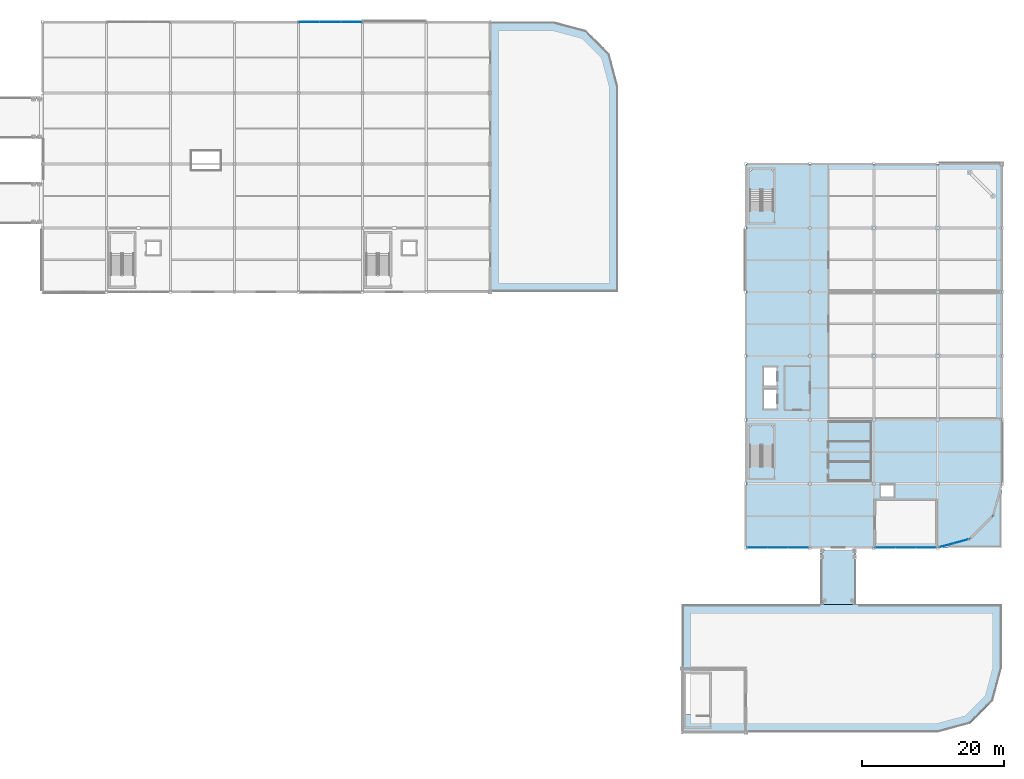
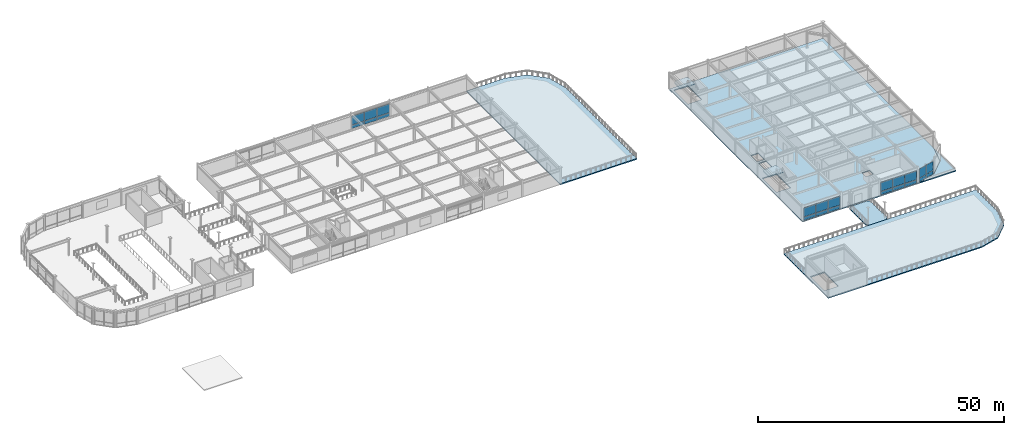
# One storey, part 33 of 53: 22 plates, 7 slabs, 6 elements without a shape of their own.
"""IFC4 building model written with IfcOpenShell, lengths in metres."""

from ifc_helpers import new_model, si_unit, direction, frame, origin, origin_2d, place, context, subcontext, project, spatial, polyline, rectangle, outline, extrude, material, layer, layer_set, type_object, element, aggregate, save


model = new_model("IFC4")

# Units and contexts
model_context = context("Model", 3, precision=1e-05, world=origin(), true_north=direction((0.0, 1.0)))
body_context = subcontext(model_context, "Body", "Model", "MODEL_VIEW")
ifc_project = project(units=[si_unit("LENGTHUNIT", "METRE"), si_unit("AREAUNIT", "SQUARE_METRE"), si_unit("VOLUMEUNIT", "CUBIC_METRE"), si_unit("PLANEANGLEUNIT", "RADIAN"), si_unit("MASSUNIT", "GRAM", prefix="KILO")], contexts=[model_context])

# Site, building, storey
site_placement = place(None, origin())
site = spatial("IfcSite", under=ifc_project, at=site_placement, CompositionType="ELEMENT")
building_placement = place(site_placement, origin())
building = spatial("IfcBuilding", under=site, at=building_placement, Name="Suzunagisa Mobility Hub", CompositionType="ELEMENT")
storey_placement = place(building_placement, frame((0.0, 0.0, 17.699951171875)))
storey = spatial("IfcBuildingStorey", under=building, at=storey_placement, Name="L04", CompositionType="ELEMENT", Elevation=17.699951171875)

# Slabs
ifc_material_1 = material(Name="Concrete C35/45", Category="concrete")
ifc_layer_1 = layer(ifc_material_1, 0.25)
ifc_layer_set_1 = layer_set([ifc_layer_1], Name="Concrete C35/45")
slab_type_1 = type_object("IfcSlabType", Name="Composite Slab SL-13 250mm", PredefinedType="FLOOR", material=ifc_layer_set_1)
slab_1_placement = place(storey_placement, frame((0.0, 0.0, -0.25)))
element("IfcSlab", 1, at=slab_1_placement, inside=storey, type_object=slab_type_1, Name="L04 V6N Floor Slab", PredefinedType="FLOOR", context=body_context, shape_type="SweptSolid", body=[
    extrude(outline(polyline([(144.0, 44.0), (171.0, 44.0), (175.5, 45.205810546875), (178.794189453125, 48.5), (180.0, 53.0), (180.0, 98.0), (144.0, 98.0), (144.0, 44.0)]), holes=[polyline([(163.0, 51.199951171875), (164.800048828125, 51.199951171875), (164.800048828125, 52.800048828125), (163.0, 52.800048828125), (163.0, 51.199951171875)]), polyline([(144.56005859375, 55.47998046875), (147.840087890625, 55.47998046875), (147.840087890625, 61.199951171875), (144.56005859375, 61.199951171875), (144.56005859375, 55.47998046875)]), polyline([(146.52001953125, 63.6201171875), (148.280029296875, 63.6201171875), (148.280029296875, 66.179931640625), (146.52001953125, 66.179931640625), (146.52001953125, 63.6201171875)]), polyline([(146.52001953125, 66.820068359375), (148.280029296875, 66.820068359375), (148.280029296875, 69.3798828125), (146.52001953125, 69.3798828125), (146.52001953125, 66.820068359375)]), polyline([(144.56005859375, 91.47998046875), (147.840087890625, 91.47998046875), (147.840087890625, 97.199951171875), (144.56005859375, 97.199951171875), (144.56005859375, 91.47998046875)])]), origin(), (0.0, 0.0, 1.0), 0.25),
])
ifc_material_2 = material(Name="Concrete C30/37", Category="concrete")
ifc_layer_2 = layer(ifc_material_2, 0.239990234375)
ifc_layer_set_2 = layer_set([ifc_layer_2], Name="Concrete C30/37")
slab_type_2 = type_object("IfcSlabType", Name="Composite Slab SL-14 240mm", PredefinedType="FLOOR", material=ifc_layer_set_2)
slab_2_placement = place(storey_placement, frame((0.0, 0.0, -0.239990234375)))
element("IfcSlab", 2, at=slab_2_placement, inside=storey, type_object=slab_type_2, Name="L04 Bridge Deck SB-06", PredefinedType="FLOOR", context=body_context, shape_type="SweptSolid", body=[
    extrude(outline(polyline([(155.050048828125, 36.0), (158.949951171875, 36.0), (159.5, 36.550048828125), (159.5, 43.10009765625), (158.949951171875, 43.64990234375), (155.050048828125, 43.64990234375), (154.5, 43.10009765625), (154.5, 36.550048828125), (155.050048828125, 36.0)])), origin(), (0.0, 0.0, 1.0), 0.239990234375),
])
ifc_layer_3 = layer(ifc_material_2, 0.260009765625)
ifc_layer_set_3 = layer_set([ifc_layer_3], Name="Concrete C30/37")
slab_type_3 = type_object("IfcSlabType", Name="Composite Slab SL-17 260mm", PredefinedType="ROOF", material=ifc_layer_set_3)
slab_3_placement = place(storey_placement, frame((0.0, 0.0, -0.260009765625)))
element("IfcSlab", 3, at=slab_3_placement, inside=storey, type_object=slab_type_3, Name="L04 V4 Roof Terrace Slab", PredefinedType="ROOF", context=body_context, shape_type="SweptSolid", body=[
    extrude(outline(polyline([(108.0, 80.0), (126.0, 80.0), (126.0, 109.0), (124.794189453125, 113.5), (121.5, 116.794189453125), (117.0, 118.0), (108.0, 118.0), (108.0, 80.0)])), origin(), (0.0, 0.0, 1.0), 0.260009765625),
])
slab_4_placement = place(storey_placement, frame((0.0, 0.0, -0.260009765625)))
element("IfcSlab", 4, at=slab_4_placement, inside=storey, type_object=slab_type_3, Name="L04 V6S Roof Terrace Slab", PredefinedType="ROOF", context=body_context, shape_type="SweptSolid", body=[
    extrude(outline(polyline([(135.0, 18.0), (171.0, 18.0), (175.5, 19.205810546875), (178.794189453125, 22.5), (180.0, 27.0), (180.0, 36.0), (135.0, 36.0), (135.0, 18.0)]), holes=[polyline([(135.56005859375, 20.47998046875), (138.840087890625, 20.47998046875), (138.840087890625, 26.199951171875), (135.56005859375, 26.199951171875), (135.56005859375, 20.47998046875)])]), origin(), (0.0, 0.0, 1.0), 0.260009765625),
])
slab_5_placement = place(storey_placement, frame((0.0, 0.0, -0.260009765625)))
element("IfcSlab", 5, at=slab_5_placement, inside=storey, type_object=slab_type_3, Name="L04 V6N Roof Slab", PredefinedType="ROOF", context=body_context, shape_type="SweptSolid", body=[
    extrude(outline(polyline([(180.0, 52.980712890625), (178.79833984375, 48.497314453125), (175.50341796875, 45.202392578125), (171.019287109375, 44.0), (180.0, 44.0), (180.0, 52.980712890625)])), origin(), (0.0, 0.0, 1.0), 0.260009765625),
])

# Stair, slab
stair_type_1 = type_object("IfcStairType", Name="Dog-Leg Core Escape Stair ST-11 W1560", PredefinedType="HALF_TURN_STAIR", material=ifc_material_1)
stair_1_placement = place(storey_placement, origin())
stair_1 = element("IfcStair", 6, at=stair_1_placement, inside=storey, type_object=stair_type_1, Name="L04 Core C5 Escape Stair ST-11", PredefinedType="HALF_TURN_STAIR")
ifc_layer_4 = layer(ifc_material_1, 0.199951171875)
ifc_layer_set_4 = layer_set([ifc_layer_4], Name="Concrete C35/45")
slab_type_4 = type_object("IfcSlabType", Name="Core Stair Half-Landing Slab SL-SLND", PredefinedType="LANDING", material=ifc_layer_set_4)
slab_6_placement = place(storey_placement, frame((0.0, 0.0, 1.900146484375)))
slab_6 = element("IfcSlab", 7, at=slab_6_placement, type_object=slab_type_4, Name="ST-11 landing 1", PredefinedType="LANDING", context=body_context, shape_type="SweptSolid", body=[
    extrude(outline(polyline([(144.4599609375, 58.360107421875), (147.93994140625, 58.360107421875), (147.93994140625, 60.820068359375), (147.4599609375, 61.300048828125), (144.93994140625, 61.300048828125), (144.4599609375, 60.820068359375), (144.4599609375, 58.360107421875)])), origin(), (0.0, 0.0, 1.0), 0.199951171875),
])
aggregate(stair_1, [slab_6])

stair_type_2 = type_object("IfcStairType", Name="Dog-Leg Core Escape Stair ST-12 W1560", PredefinedType="HALF_TURN_STAIR", material=ifc_material_1)
stair_2_placement = place(storey_placement, origin())
stair_2 = element("IfcStair", 8, at=stair_2_placement, inside=storey, type_object=stair_type_2, Name="L04 Core C5B Escape Stair ST-12", PredefinedType="HALF_TURN_STAIR")
slab_7_placement = place(storey_placement, frame((0.0, 0.0, 1.900146484375)))
slab_7 = element("IfcSlab", 9, at=slab_7_placement, type_object=slab_type_4, Name="ST-12 landing 1", PredefinedType="LANDING", context=body_context, shape_type="SweptSolid", body=[
    extrude(outline(polyline([(144.4599609375, 94.360107421875), (147.93994140625, 94.360107421875), (147.93994140625, 96.820068359375), (147.4599609375, 97.300048828125), (144.93994140625, 97.300048828125), (144.4599609375, 96.820068359375), (144.4599609375, 94.360107421875)])), origin(), (0.0, 0.0, 1.0), 0.199951171875),
])
aggregate(stair_2, [slab_7])

# Curtain wall, plates
ifc_material_3 = material(Name="Thermally Broken Anodized Aluminum and Low-E Glazing", Category="aluminium")
curtain_wall_type_1 = type_object("IfcCurtainWallType", Name="Unitised Curtain Wall CW-33 9000x3200", PredefinedType="USERDEFINED", material=ifc_material_3)
curtain_wall_1_placement = place(storey_placement, origin())
curtain_wall_1 = element("IfcCurtainWall", 10, at=curtain_wall_1_placement, inside=storey, type_object=curtain_wall_type_1, Name="L04 Unitised Curtain Wall CW-133", ObjectType="UNITISED CURTAIN WALL", PredefinedType="USERDEFINED")
ifc_material_4 = material(Name="Low-E Solar-Control Double Glazing", Category="glass")
ifc_layer_5 = layer(ifc_material_4, 0.028076171875)
ifc_layer_set_5 = layer_set([ifc_layer_5], Name="Low-E Solar-Control Double Glazing")
plate_type = type_object("IfcPlateType", Name="Low-E Double Glazed Curtain Panel GP-01 28mm", PredefinedType="CURTAIN_PANEL", material=ifc_layer_set_5)
plate_1_placement = place(storey_placement, frame((88.48193359375, 118.0, 0.063232421875), z_axis=(0.0, 0.0, 1.0), x_axis=(-1.0, 0.0, 0.0)))
plate_1 = element("IfcPlate", 11, at=plate_1_placement, type_object=plate_type, Name="Curtain Wall Glazing Panel 133-P1.1", PredefinedType="CURTAIN_PANEL", context=body_context, shape_type="SweptSolid", body=[
    extrude(rectangle(XDim=2.910888671875, YDim=0.028076171875, at=origin_2d()), origin(), (0.0, 0.0, 1.0), 0.8564453125),
])
plate_2_placement = place(storey_placement, frame((88.48193359375, 118.0, 0.98046875), z_axis=(0.0, 0.0, 1.0), x_axis=(-1.0, 0.0, 0.0)))
plate_2 = element("IfcPlate", 12, at=plate_2_placement, type_object=plate_type, Name="Curtain Wall Glazing Panel 133-P1.2", PredefinedType="CURTAIN_PANEL", context=body_context, shape_type="SweptSolid", body=[
    extrude(rectangle(XDim=2.910888671875, YDim=0.028076171875, at=origin_2d()), origin(), (0.0, 0.0, 1.0), 2.20654296875),
])
plate_3_placement = place(storey_placement, frame((85.5, 118.0, 0.063232421875), z_axis=(0.0, 0.0, 1.0), x_axis=(-1.0, 0.0, 0.0)))
plate_3 = element("IfcPlate", 13, at=plate_3_placement, type_object=plate_type, Name="Curtain Wall Glazing Panel 133-P2.1", PredefinedType="CURTAIN_PANEL", context=body_context, shape_type="SweptSolid", body=[
    extrude(rectangle(XDim=2.94091796875, YDim=0.028076171875, at=origin_2d()), origin(), (0.0, 0.0, 1.0), 0.8564453125),
])
plate_4_placement = place(storey_placement, frame((85.5, 118.0, 0.98046875), z_axis=(0.0, 0.0, 1.0), x_axis=(-1.0, 0.0, 0.0)))
plate_4 = element("IfcPlate", 14, at=plate_4_placement, type_object=plate_type, Name="Curtain Wall Glazing Panel 133-P2.2", PredefinedType="CURTAIN_PANEL", context=body_context, shape_type="SweptSolid", body=[
    extrude(rectangle(XDim=2.94091796875, YDim=0.028076171875, at=origin_2d()), origin(), (0.0, 0.0, 1.0), 2.20654296875),
])
plate_5_placement = place(storey_placement, frame((82.51806640625, 118.0, 0.063232421875), z_axis=(0.0, 0.0, 1.0), x_axis=(-1.0, 0.0, 0.0)))
plate_5 = element("IfcPlate", 15, at=plate_5_placement, type_object=plate_type, Name="Curtain Wall Glazing Panel 133-P3.1", PredefinedType="CURTAIN_PANEL", context=body_context, shape_type="SweptSolid", body=[
    extrude(rectangle(XDim=2.910888671875, YDim=0.028076171875, at=origin_2d()), origin(), (0.0, 0.0, 1.0), 0.8564453125),
])
plate_6_placement = place(storey_placement, frame((82.51806640625, 118.0, 0.98046875), z_axis=(0.0, 0.0, 1.0), x_axis=(-1.0, 0.0, 0.0)))
plate_6 = element("IfcPlate", 16, at=plate_6_placement, type_object=plate_type, Name="Curtain Wall Glazing Panel 133-P3.2", PredefinedType="CURTAIN_PANEL", context=body_context, shape_type="SweptSolid", body=[
    extrude(rectangle(XDim=2.910888671875, YDim=0.028076171875, at=origin_2d()), origin(), (0.0, 0.0, 1.0), 2.20654296875),
])
aggregate(curtain_wall_1, [plate_1, plate_2, plate_3, plate_4, plate_5, plate_6])

curtain_wall_type_2 = type_object("IfcCurtainWallType", Name="Unitised Curtain Wall CW-18 8500x3200", PredefinedType="USERDEFINED", material=ifc_material_3)
curtain_wall_2_placement = place(storey_placement, origin())
curtain_wall_2 = element("IfcCurtainWall", 17, at=curtain_wall_2_placement, inside=storey, type_object=curtain_wall_type_2, Name="L04 Unitised Curtain Wall CW-214", ObjectType="UNITISED CURTAIN WALL", PredefinedType="USERDEFINED")
plate_7_placement = place(storey_placement, frame((145.648193359375, 44.0, 0.063232421875), z_axis=(0.0, 0.0, 1.0), x_axis=(1.0, 0.0, 0.0)))
plate_7 = element("IfcPlate", 18, at=plate_7_placement, type_object=plate_type, Name="Curtain Wall Glazing Panel 214-P1.1", PredefinedType="CURTAIN_PANEL", context=body_context, shape_type="SweptSolid", body=[
    extrude(rectangle(XDim=2.78076171875, YDim=0.028076171875, at=origin_2d()), origin(), (0.0, 0.0, 1.0), 0.8564453125),
])
plate_8_placement = place(storey_placement, frame((145.648193359375, 44.0, 0.98046875), z_axis=(0.0, 0.0, 1.0), x_axis=(1.0, 0.0, 0.0)))
plate_8 = element("IfcPlate", 19, at=plate_8_placement, type_object=plate_type, Name="Curtain Wall Glazing Panel 214-P1.2", PredefinedType="CURTAIN_PANEL", context=body_context, shape_type="SweptSolid", body=[
    extrude(rectangle(XDim=2.78076171875, YDim=0.028076171875, at=origin_2d()), origin(), (0.0, 0.0, 1.0), 2.196533203125),
])
plate_9_placement = place(storey_placement, frame((148.5, 44.0, 0.063232421875), z_axis=(0.0, 0.0, 1.0), x_axis=(1.0, 0.0, 0.0)))
plate_9 = element("IfcPlate", 20, at=plate_9_placement, type_object=plate_type, Name="Curtain Wall Glazing Panel 214-P2.1", PredefinedType="CURTAIN_PANEL", context=body_context, shape_type="SweptSolid", body=[
    extrude(rectangle(XDim=2.810546875, YDim=0.028076171875, at=origin_2d()), origin(), (0.0, 0.0, 1.0), 0.8564453125),
])
plate_10_placement = place(storey_placement, frame((148.5, 44.0, 0.98046875), z_axis=(0.0, 0.0, 1.0), x_axis=(1.0, 0.0, 0.0)))
plate_10 = element("IfcPlate", 21, at=plate_10_placement, type_object=plate_type, Name="Curtain Wall Glazing Panel 214-P2.2", PredefinedType="CURTAIN_PANEL", context=body_context, shape_type="SweptSolid", body=[
    extrude(rectangle(XDim=2.810546875, YDim=0.028076171875, at=origin_2d()), origin(), (0.0, 0.0, 1.0), 2.196533203125),
])
plate_11_placement = place(storey_placement, frame((151.3515625, 44.0, 0.063232421875), z_axis=(0.0, 0.0, 1.0), x_axis=(1.0, 0.0, 0.0)))
plate_11 = element("IfcPlate", 22, at=plate_11_placement, type_object=plate_type, Name="Curtain Wall Glazing Panel 214-P3.1", PredefinedType="CURTAIN_PANEL", context=body_context, shape_type="SweptSolid", body=[
    extrude(rectangle(XDim=2.78076171875, YDim=0.028076171875, at=origin_2d()), origin(), (0.0, 0.0, 1.0), 0.8564453125),
])
plate_12_placement = place(storey_placement, frame((151.3515625, 44.0, 0.98046875), z_axis=(0.0, 0.0, 1.0), x_axis=(1.0, 0.0, 0.0)))
plate_12 = element("IfcPlate", 23, at=plate_12_placement, type_object=plate_type, Name="Curtain Wall Glazing Panel 214-P3.2", PredefinedType="CURTAIN_PANEL", context=body_context, shape_type="SweptSolid", body=[
    extrude(rectangle(XDim=2.78076171875, YDim=0.028076171875, at=origin_2d()), origin(), (0.0, 0.0, 1.0), 2.196533203125),
])
aggregate(curtain_wall_2, [plate_7, plate_8, plate_9, plate_10, plate_11, plate_12])

curtain_wall_3_placement = place(storey_placement, origin())
curtain_wall_3 = element("IfcCurtainWall", 24, at=curtain_wall_3_placement, inside=storey, type_object=curtain_wall_type_2, Name="L04 Unitised Curtain Wall CW-215", ObjectType="UNITISED CURTAIN WALL", PredefinedType="USERDEFINED")
plate_13_placement = place(storey_placement, frame((163.648193359375, 44.0, 0.063232421875), z_axis=(0.0, 0.0, 1.0), x_axis=(1.0, 0.0, 0.0)))
plate_13 = element("IfcPlate", 25, at=plate_13_placement, type_object=plate_type, Name="Curtain Wall Glazing Panel 215-P1.1", PredefinedType="CURTAIN_PANEL", context=body_context, shape_type="SweptSolid", body=[
    extrude(rectangle(XDim=2.78076171875, YDim=0.028076171875, at=origin_2d()), origin(), (0.0, 0.0, 1.0), 0.8564453125),
])
plate_14_placement = place(storey_placement, frame((163.648193359375, 44.0, 0.98046875), z_axis=(0.0, 0.0, 1.0), x_axis=(1.0, 0.0, 0.0)))
plate_14 = element("IfcPlate", 26, at=plate_14_placement, type_object=plate_type, Name="Curtain Wall Glazing Panel 215-P1.2", PredefinedType="CURTAIN_PANEL", context=body_context, shape_type="SweptSolid", body=[
    extrude(rectangle(XDim=2.78076171875, YDim=0.028076171875, at=origin_2d()), origin(), (0.0, 0.0, 1.0), 2.196533203125),
])
plate_15_placement = place(storey_placement, frame((166.5, 44.0, 0.063232421875), z_axis=(0.0, 0.0, 1.0), x_axis=(1.0, 0.0, 0.0)))
plate_15 = element("IfcPlate", 27, at=plate_15_placement, type_object=plate_type, Name="Curtain Wall Glazing Panel 215-P2.1", PredefinedType="CURTAIN_PANEL", context=body_context, shape_type="SweptSolid", body=[
    extrude(rectangle(XDim=2.810546875, YDim=0.028076171875, at=origin_2d()), origin(), (0.0, 0.0, 1.0), 0.8564453125),
])
plate_16_placement = place(storey_placement, frame((166.5, 44.0, 0.98046875), z_axis=(0.0, 0.0, 1.0), x_axis=(1.0, 0.0, 0.0)))
plate_16 = element("IfcPlate", 28, at=plate_16_placement, type_object=plate_type, Name="Curtain Wall Glazing Panel 215-P2.2", PredefinedType="CURTAIN_PANEL", context=body_context, shape_type="SweptSolid", body=[
    extrude(rectangle(XDim=2.810546875, YDim=0.028076171875, at=origin_2d()), origin(), (0.0, 0.0, 1.0), 2.196533203125),
])
plate_17_placement = place(storey_placement, frame((169.3515625, 44.0, 0.063232421875), z_axis=(0.0, 0.0, 1.0), x_axis=(1.0, 0.0, 0.0)))
plate_17 = element("IfcPlate", 29, at=plate_17_placement, type_object=plate_type, Name="Curtain Wall Glazing Panel 215-P3.1", PredefinedType="CURTAIN_PANEL", context=body_context, shape_type="SweptSolid", body=[
    extrude(rectangle(XDim=2.78076171875, YDim=0.028076171875, at=origin_2d()), origin(), (0.0, 0.0, 1.0), 0.8564453125),
])
plate_18_placement = place(storey_placement, frame((169.3515625, 44.0, 0.98046875), z_axis=(0.0, 0.0, 1.0), x_axis=(1.0, 0.0, 0.0)))
plate_18 = element("IfcPlate", 30, at=plate_18_placement, type_object=plate_type, Name="Curtain Wall Glazing Panel 215-P3.2", PredefinedType="CURTAIN_PANEL", context=body_context, shape_type="SweptSolid", body=[
    extrude(rectangle(XDim=2.78076171875, YDim=0.028076171875, at=origin_2d()), origin(), (0.0, 0.0, 1.0), 2.196533203125),
])
aggregate(curtain_wall_3, [plate_13, plate_14, plate_15, plate_16, plate_17, plate_18])

curtain_wall_type_3 = type_object("IfcCurtainWallType", Name="Unitised Curtain Wall CW-06 4250x3300", PredefinedType="USERDEFINED", material=ifc_material_3)
curtain_wall_4_placement = place(storey_placement, origin())
curtain_wall_4 = element("IfcCurtainWall", 31, at=curtain_wall_4_placement, inside=storey, type_object=curtain_wall_type_3, Name="L04 Unitised Curtain Wall CW-216", ObjectType="UNITISED CURTAIN WALL", PredefinedType="USERDEFINED")
plate_19_placement = place(storey_placement, frame((172.264404296875, 44.3388671875, 0.05810546875), z_axis=(0.0, 0.0, 1.0), x_axis=(0.965927308128, 0.25881351474, 0.0)))
plate_19 = element("IfcPlate", 32, at=plate_19_placement, type_object=plate_type, Name="Curtain Wall Glazing Panel 216-P1.1", PredefinedType="CURTAIN_PANEL", context=body_context, shape_type="SweptSolid", body=[
    extrude(rectangle(XDim=2.011962890625, YDim=0.028076171875, at=origin_2d()), origin(), (0.0, 0.0, 1.0), 0.864013671875),
])
plate_20_placement = place(storey_placement, frame((172.264404296875, 44.3388671875, 0.97802734375), z_axis=(0.0, 0.0, 1.0), x_axis=(0.965927308128, 0.25881351474, 0.0)))
plate_20 = element("IfcPlate", 33, at=plate_20_placement, type_object=plate_type, Name="Curtain Wall Glazing Panel 216-P1.2", PredefinedType="CURTAIN_PANEL", context=body_context, shape_type="SweptSolid", body=[
    extrude(rectangle(XDim=2.011962890625, YDim=0.028076171875, at=origin_2d()), origin(), (0.0, 0.0, 1.0), 2.25390625),
])
plate_21_placement = place(storey_placement, frame((174.261962890625, 44.8740234375, 0.05810546875), z_axis=(0.0, 0.0, 1.0), x_axis=(0.965927308128, 0.25881351474, 0.0)))
plate_21 = element("IfcPlate", 34, at=plate_21_placement, type_object=plate_type, Name="Curtain Wall Glazing Panel 216-P2.1", PredefinedType="CURTAIN_PANEL", context=body_context, shape_type="SweptSolid", body=[
    extrude(rectangle(XDim=2.01220703125, YDim=0.028076171875, at=origin_2d()), origin(), (0.0, 0.0, 1.0), 0.864013671875),
])
plate_22_placement = place(storey_placement, frame((174.261962890625, 44.8740234375, 0.97802734375), z_axis=(0.0, 0.0, 1.0), x_axis=(0.965927308128, 0.25881351474, 0.0)))
plate_22 = element("IfcPlate", 35, at=plate_22_placement, type_object=plate_type, Name="Curtain Wall Glazing Panel 216-P2.2", PredefinedType="CURTAIN_PANEL", context=body_context, shape_type="SweptSolid", body=[
    extrude(rectangle(XDim=2.01220703125, YDim=0.028076171875, at=origin_2d()), origin(), (0.0, 0.0, 1.0), 2.25390625),
])
aggregate(curtain_wall_4, [plate_19, plate_20, plate_21, plate_22])

save(model, "model.ifc")
